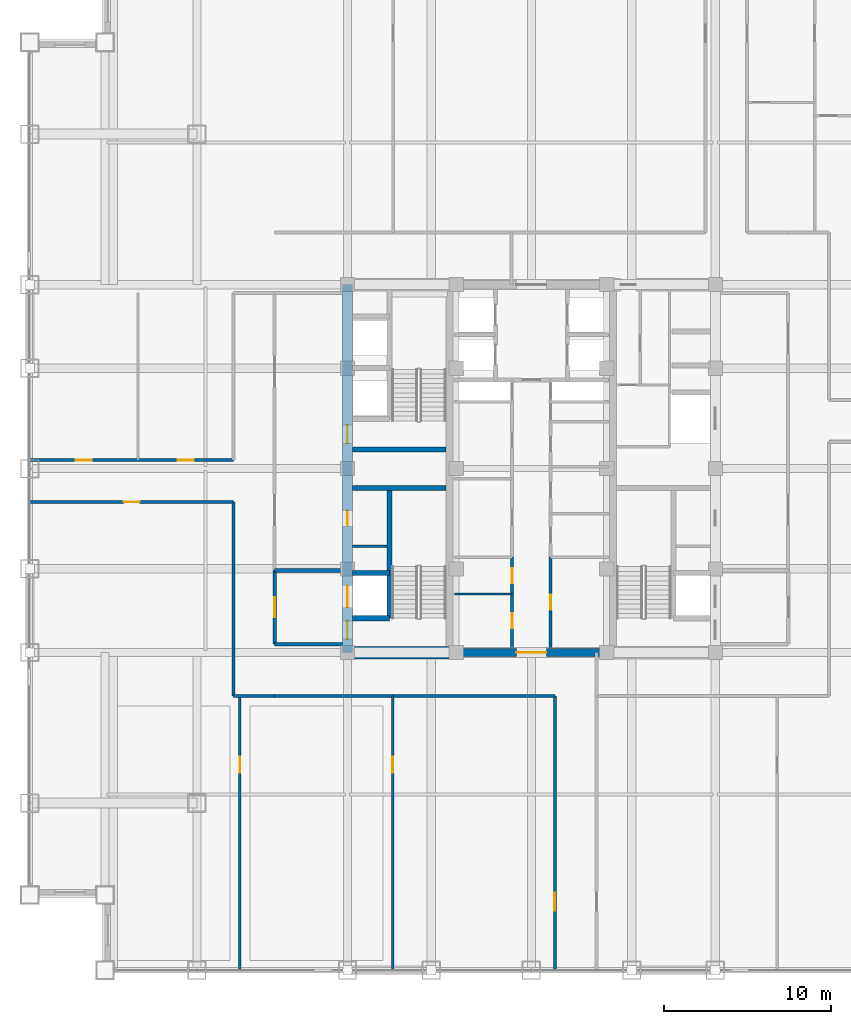
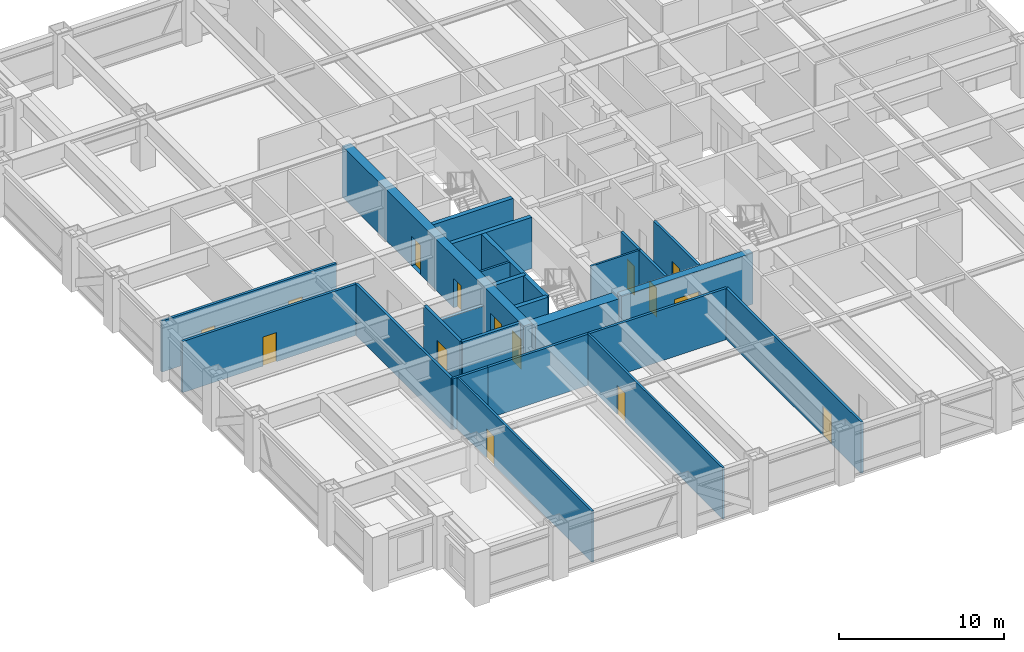
# One storey, part 20 of 26: 23 walls, 15 doors, 15 openings.
"""IFC4 building model written with IfcOpenShell, lengths in metres."""

from ifc_helpers import new_model, si_unit, direction, frame, frame_2d, origin, place, context, subcontext, project, spatial, rectangle, extrude, source, transform, mapped, material, layer, layer_set, type_object, element, fill, save


model = new_model("IFC4")

# Units and contexts
model_context = context("Model", 3, precision=1e-05, world=origin(), true_north=direction((0.0, 1.0)))
body_context = subcontext(model_context, "Body", "Model", "MODEL_VIEW")
ifc_project = project(units=[si_unit("LENGTHUNIT", "METRE"), si_unit("AREAUNIT", "SQUARE_METRE"), si_unit("VOLUMEUNIT", "CUBIC_METRE"), si_unit("PLANEANGLEUNIT", "RADIAN"), si_unit("MASSUNIT", "GRAM", prefix="KILO")], contexts=[model_context])

# Site, building, storey
site_placement = place(None, origin())
site = spatial("IfcSite", under=ifc_project, at=site_placement, CompositionType="ELEMENT")
building_placement = place(site_placement, origin())
building = spatial("IfcBuilding", under=site, at=building_placement, Name="Khorayat Bourse Tower", CompositionType="ELEMENT")
storey_placement = place(building_placement, frame((0.0, 0.0, 207.10009765625)))
storey = spatial("IfcBuildingStorey", under=building, at=storey_placement, Name="L48", CompositionType="ELEMENT", Elevation=207.10009765625)

# Wall, openings, doors
ifc_material_1 = material(Name="Concrete C60/75", Category="concrete")
ifc_layer_1 = layer(ifc_material_1, 0.60009765625)
ifc_layer_set_1 = layer_set([ifc_layer_1], Name="Concrete C60/75")
wall_type_1 = type_object("IfcWallType", Name="WAL-CORE-600", PredefinedType="SHEAR", material=ifc_layer_set_1)
shared_shape_1 = source(origin(), body_context, "Body", "SweptSolid", [
    extrude(rectangle(XDim=22.0, YDim=0.60009765625, at=frame_2d((11.0, 0.0))), origin(), (0.0, 0.0, 1.0), 3.77978515625),
])
wall_1_placement = place(storey_placement, frame((-11.0, -11.0, 0.0), z_axis=(0.0, 0.0, 1.0), x_axis=(0.0, 1.0, 0.0)))
wall_1 = element("IfcWall", 1, at=wall_1_placement, inside=storey, type_object=wall_type_1, Name="L48 Core Shear Wall CORE-W", PredefinedType="SHEAR", context=body_context, shape_type="MappedRepresentation", body=[
    mapped(shared_shape_1, transform((0.0, 0.0, 0.0), scale=1.0)),
])
shared_shape_2 = source(origin(), body_context, "Body", "SweptSolid", [
    extrude(rectangle(XDim=1.10009765625, YDim=2.199951171875, at=frame_2d((0.550048828125, 1.10009765625))), frame((0.0, 0.31005859375, 0.0), z_axis=(0.0, -1.0, 0.0), x_axis=(1.0, 0.0, 0.0)), (0.0, 0.0, 1.0), 0.6201171875),
])
opening_1_placement = place(wall_1_placement, frame((0.800048828125, 0.0, 0.0)))
opening_1 = element("IfcOpeningElement", 2, at=opening_1_placement, cuts=wall_1, Name="Opening DI-01", PredefinedType="OPENING", context=body_context, shape_type="MappedRepresentation", body=[
    mapped(shared_shape_2, transform((0.0, 0.0, 0.0), scale=1.0)),
])
opening_2_placement = place(wall_1_placement, frame((12.5, 0.0, 0.0)))
opening_2 = element("IfcOpeningElement", 3, at=opening_2_placement, cuts=wall_1, Name="Opening DI-01", PredefinedType="OPENING", context=body_context, shape_type="MappedRepresentation", body=[
    mapped(shared_shape_2, transform((0.0, 0.0, 0.0), scale=1.0)),
])
shared_shape_3 = source(origin(), body_context, "Body", "SweptSolid", [
    extrude(rectangle(XDim=0.89990234375, YDim=2.14990234375, at=frame_2d((0.449951171875, 1.074951171875))), frame((0.0, 0.31005859375, 0.0), z_axis=(0.0, -1.0, 0.0), x_axis=(1.0, 0.0, 0.0)), (0.0, 0.0, 1.0), 0.6201171875),
])
opening_3_placement = place(wall_1_placement, frame((7.574951171875, 0.0, 0.0)))
opening_3 = element("IfcOpeningElement", 4, at=opening_3_placement, cuts=wall_1, Name="Opening DI-06", PredefinedType="OPENING", context=body_context, shape_type="MappedRepresentation", body=[
    mapped(shared_shape_3, transform((0.0, 0.0, 0.0), scale=1.0)),
])
shared_shape_4 = source(origin(), body_context, "Body", "SweptSolid", [
    extrude(rectangle(XDim=1.300048828125, YDim=2.300048828125, at=frame_2d((0.64990234375, 1.14990234375))), frame((0.0, 0.31005859375, 0.0), z_axis=(0.0, -1.0, 0.0), x_axis=(1.0, 0.0, 0.0)), (0.0, 0.0, 1.0), 0.6201171875),
])
opening_4_placement = place(wall_1_placement, frame((2.699951171875, 0.0, 0.0)))
opening_4 = element("IfcOpeningElement", 5, at=opening_4_placement, cuts=wall_1, Name="Opening LD-02", PredefinedType="OPENING", context=body_context, shape_type="MappedRepresentation", body=[
    mapped(shared_shape_4, transform((0.0, 0.0, 0.0), scale=1.0)),
])
ifc_material_2 = material(Name="Fire-rated steel acoustic leaf", Category="steel")
door_type_1 = type_object("IfcDoorType", Name="DR-INT-STAIR-1100", OperationType="NOTDEFINED", PredefinedType="DOOR", material=ifc_material_2)
shared_shape_5 = source(origin(), body_context, "Body", "SweptSolid", [
    extrude(rectangle(XDim=1.10009765625, YDim=2.199951171875, at=frame_2d((0.550048828125, 1.10009765625))), frame((0.0, 0.02490234375, 0.0), z_axis=(0.0, -1.0, 0.0), x_axis=(1.0, 0.0, 0.0)), (0.0, 0.0, 1.0), 0.050048828125),
])
door_1_placement = place(opening_1_placement, origin())
door_1 = element("IfcDoor", 6, at=door_1_placement, inside=storey, type_object=door_type_1, Name="L48 Exit Stair 1 Door", OperationType="SINGLE_SWING_RIGHT", OverallHeight=2.199951171875, OverallWidth=1.10009765625, PredefinedType="DOOR", context=body_context, shape_type="MappedRepresentation", body=[
    mapped(shared_shape_5, transform((0.0, 0.0, 0.0), scale=1.0)),
])
fill(opening_1, door_1)
door_2_placement = place(opening_2_placement, origin())
door_2 = element("IfcDoor", 7, at=door_2_placement, inside=storey, type_object=door_type_1, Name="L48 Exit Stair 2 Door", OperationType="SINGLE_SWING_RIGHT", OverallHeight=2.199951171875, OverallWidth=1.10009765625, PredefinedType="DOOR", context=body_context, shape_type="MappedRepresentation", body=[
    mapped(shared_shape_5, transform((0.0, 0.0, 0.0), scale=1.0)),
])
fill(opening_2, door_2)
ifc_material_3 = material(Name="Moisture-resistant laminate washroom door")
door_type_2 = type_object("IfcDoorType", Name="DR-INT-WC-900", OperationType="NOTDEFINED", PredefinedType="DOOR", material=ifc_material_3)
shared_shape_6 = source(origin(), body_context, "Body", "SweptSolid", [
    extrude(rectangle(XDim=0.89990234375, YDim=2.14990234375, at=frame_2d((0.449951171875, 1.074951171875))), frame((0.0, 0.02490234375, 0.0), z_axis=(0.0, -1.0, 0.0), x_axis=(1.0, 0.0, 0.0)), (0.0, 0.0, 1.0), 0.050048828125),
])
door_3_placement = place(opening_3_placement, origin())
door_3 = element("IfcDoor", 8, at=door_3_placement, inside=storey, type_object=door_type_2, Name="L48 UPS Switch Plant Room Door", OperationType="SINGLE_SWING_RIGHT", OverallHeight=2.14990234375, OverallWidth=0.89990234375, PredefinedType="DOOR", context=body_context, shape_type="MappedRepresentation", body=[
    mapped(shared_shape_6, transform((0.0, 0.0, 0.0), scale=1.0)),
])
fill(opening_3, door_3)
ifc_material_4 = material(Name="Fire-rated stainless-steel sliding landing door", Category="steel")
door_type_3 = type_object("IfcDoorType", Name="DR-LIFT-FF-1300", OperationType="NOTDEFINED", PredefinedType="DOOR", material=ifc_material_4)
shared_shape_7 = source(origin(), body_context, "Body", "SweptSolid", [
    extrude(rectangle(XDim=1.300048828125, YDim=2.300048828125, at=frame_2d((0.64990234375, 1.14990234375))), frame((0.0, 0.02490234375, 0.0), z_axis=(0.0, -1.0, 0.0), x_axis=(1.0, 0.0, 0.0)), (0.0, 0.0, 1.0), 0.050048828125),
])
door_4_placement = place(opening_4_placement, origin())
door_4 = element("IfcDoor", 9, at=door_4_placement, inside=storey, type_object=door_type_3, Name="L48 Lift FFL-01 Sliding Landing Door", OperationType="SLIDING_TO_LEFT", OverallHeight=2.300048828125, OverallWidth=1.300048828125, PredefinedType="DOOR", context=body_context, shape_type="MappedRepresentation", body=[
    mapped(shared_shape_7, transform((0.0, 0.0, 0.0), scale=1.0)),
])
fill(opening_4, door_4)

# Walls
ifc_material_5 = material(Name="Concrete C72/90", Category="concrete")
ifc_layer_2 = layer(ifc_material_5, 0.75)
ifc_layer_set_2 = layer_set([ifc_layer_2], Name="Concrete C72/90")
wall_type_2 = type_object("IfcWallType", Name="WAL-CORE-750", PredefinedType="SHEAR", material=ifc_layer_set_2)
shared_shape_8 = source(origin(), body_context, "Body", "SweptSolid", [
    extrude(rectangle(XDim=5.849853515625, YDim=0.75, at=frame_2d((2.9248046875, 0.0))), origin(), (0.0, 0.0, 1.0), 3.77978515625),
])
wall_2_placement = place(storey_placement, frame((-10.699951171875, -11.0, 0.0), z_axis=(0.0, 0.0, 1.0), x_axis=(1.0, 0.0, 0.0)))
element("IfcWall", 10, at=wall_2_placement, inside=storey, type_object=wall_type_2, Name="L48 Core Shear Wall PIER-WS", PredefinedType="SHEAR", context=body_context, shape_type="MappedRepresentation", body=[
    mapped(shared_shape_8, transform((0.0, 0.0, 0.0), scale=1.0)),
])
ifc_material_6 = material(Name="Concrete C50/60", Category="concrete")
ifc_layer_3 = layer(ifc_material_6, 0.300048828125)
ifc_layer_set_3 = layer_set([ifc_layer_3], Name="Concrete C50/60")
wall_type_3 = type_object("IfcWallType", Name="WAL-SHAFT-300", PredefinedType="SHEAR", material=ifc_layer_set_3)
shared_shape_9 = source(origin(), body_context, "Body", "SweptSolid", [
    extrude(rectangle(XDim=5.599853515625, YDim=0.300048828125, at=frame_2d((2.7998046875, 0.0))), origin(), (0.0, 0.0, 1.0), 3.77978515625),
])
for number, where, z_axis, x_axis, name in (
    (11, (-10.699951171875, -1.14990234375, 0.0), (0.0, 0.0, 1.0), (1.0, 0.0, 0.0), "L48 Core Shear Wall ST1-DIV"),
    (12, (-10.699951171875, 1.14990234375, 0.0), (0.0, 0.0, 1.0), (1.0, 0.0, 0.0), "L48 Core Shear Wall ST2-DIV"),
):
    element("IfcWall", number, at=place(storey_placement, frame(where, z_axis=z_axis, x_axis=x_axis)), inside=storey, type_object=wall_type_3, Name=name, PredefinedType="SHEAR", context=body_context, shape_type="MappedRepresentation", body=[
        mapped(shared_shape_9, transform((0.0, 0.0, 0.0), scale=1.0)),
    ])

# Wall, opening, door
ifc_material_7 = material(Name="Concrete C52/65", Category="concrete")
ifc_layer_4 = layer(ifc_material_7, 0.5)
ifc_layer_set_4 = layer_set([ifc_layer_4], Name="Concrete C52/65")
wall_type_4 = type_object("IfcWallType", Name="WAL-CORE-500", PredefinedType="SHEAR", material=ifc_layer_set_4)
shared_shape_10 = source(origin(), body_context, "Body", "SweptSolid", [
    extrude(rectangle(XDim=9.2001953125, YDim=0.5, at=frame_2d((4.60009765625, 0.0))), origin(), (0.0, 0.0, 1.0), 3.77978515625),
])
wall_3_placement = place(storey_placement, frame((-4.60009765625, -11.0, 0.0), z_axis=(0.0, 0.0, 1.0), x_axis=(1.0, 0.0, 0.0)))
wall_3 = element("IfcWall", 13, at=wall_3_placement, inside=storey, type_object=wall_type_4, Name="L48 Core Shear Wall CORE-S", PredefinedType="SHEAR", context=body_context, shape_type="MappedRepresentation", body=[
    mapped(shared_shape_10, transform((0.0, 0.0, 0.0), scale=1.0)),
])
shared_shape_11 = source(origin(), body_context, "Body", "SweptSolid", [
    extrude(rectangle(XDim=1.800048828125, YDim=2.25, at=frame_2d((0.89990234375, 1.125))), frame((0.0, 0.260009765625, 0.0), z_axis=(0.0, -1.0, 0.0), x_axis=(1.0, 0.0, 0.0)), (0.0, 0.0, 1.0), 0.52001953125),
])
opening_5_placement = place(wall_3_placement, frame((3.699951171875, 0.0, 0.0)))
opening_5 = element("IfcOpeningElement", 14, at=opening_5_placement, cuts=wall_3, Name="Opening DI-03", PredefinedType="OPENING", context=body_context, shape_type="MappedRepresentation", body=[
    mapped(shared_shape_11, transform((0.0, 0.0, 0.0), scale=1.0)),
])
ifc_material_8 = material(Name="Fire-rated hardwood vision-panel double leaf", Category="wood")
door_type_4 = type_object("IfcDoorType", Name="DR-INT-CORR-1800", OperationType="NOTDEFINED", PredefinedType="DOOR", material=ifc_material_8)
shared_shape_12 = source(origin(), body_context, "Body", "SweptSolid", [
    extrude(rectangle(XDim=1.800048828125, YDim=2.25, at=frame_2d((0.89990234375, 1.125))), frame((0.0, 0.02490234375, 0.0), z_axis=(0.0, -1.0, 0.0), x_axis=(1.0, 0.0, 0.0)), (0.0, 0.0, 1.0), 0.050048828125),
])
door_5_placement = place(opening_5_placement, origin())
door_5 = element("IfcDoor", 15, at=door_5_placement, inside=storey, type_object=door_type_4, Name="L48 Central Core South Passage Door", OperationType="SINGLE_SWING_LEFT", OverallHeight=2.25, OverallWidth=1.800048828125, PredefinedType="DOOR", context=body_context, shape_type="MappedRepresentation", body=[
    mapped(shared_shape_12, transform((0.0, 0.0, 0.0), scale=1.0)),
])
fill(opening_5, door_5)

# Walls
shared_shape_13 = source(origin(), body_context, "Body", "SweptSolid", [
    extrude(rectangle(XDim=7.800048828125, YDim=0.300048828125, at=frame_2d((3.89990234375, 0.0))), origin(), (0.0, 0.0, 1.0), 3.77978515625),
])
wall_4_placement = place(storey_placement, frame((-8.5, -8.949951171875, 0.0), z_axis=(0.0, 0.0, 1.0), x_axis=(0.0, 1.0, 0.0)))
element("IfcWall", 16, at=wall_4_placement, inside=storey, type_object=wall_type_3, Name="L48 Partition WAL-L48-WPIER-SP", PredefinedType="SHEAR", context=body_context, shape_type="MappedRepresentation", body=[
    mapped(shared_shape_13, transform((0.0, 0.0, 0.0), scale=1.0)),
])
shared_shape_14 = source(origin(), body_context, "Body", "SweptSolid", [
    extrude(rectangle(XDim=2.199951171875, YDim=0.300048828125, at=frame_2d((1.10009765625, 0.0))), origin(), (0.0, 0.0, 1.0), 3.77978515625),
])
for number, where, z_axis, x_axis, name in (
    (17, (-10.699951171875, -8.949951171875, 0.0), (0.0, 0.0, 1.0), (1.0, 0.0, 0.0), "L48 Partition WAL-L48-WPIER-FF1S"),
    (18, (-10.699951171875, -6.25, 0.0), (0.0, 0.0, 1.0), (1.0, 0.0, 0.0), "L48 Partition WAL-L48-WPIER-FF1N"),
):
    element("IfcWall", number, at=place(storey_placement, frame(where, z_axis=z_axis, x_axis=x_axis)), inside=storey, type_object=wall_type_3, Name=name, PredefinedType="SHEAR", context=body_context, shape_type="MappedRepresentation", body=[
        mapped(shared_shape_14, transform((0.0, 0.0, 0.0), scale=1.0)),
    ])
ifc_material_9 = material(Name="Gypsum plasterboard twin-frame partition")
ifc_layer_5 = layer(ifc_material_9, 0.14990234375)
ifc_layer_set_5 = layer_set([ifc_layer_5], Name="Gypsum plasterboard twin-frame partition")
wall_type_5 = type_object("IfcWallType", Name="WAL-PART-SUITE-150", PredefinedType="PARTITIONING", material=ifc_layer_set_5)
shared_shape_15 = source(origin(), body_context, "Body", "SweptSolid", [
    extrude(rectangle(XDim=2.050048828125, YDim=0.14990234375, at=frame_2d((1.02490234375, 0.0))), origin(), (0.0, 0.0, 1.0), 3.77978515625),
])
wall_5_placement = place(storey_placement, frame((-10.699951171875, -4.64990234375, 0.0), z_axis=(0.0, 0.0, 1.0), x_axis=(1.0, 0.0, 0.0)))
element("IfcWall", 19, at=wall_5_placement, inside=storey, type_object=wall_type_5, Name="L48 Partition WAL-L48-WSRV-S0", PredefinedType="PARTITIONING", context=body_context, shape_type="MappedRepresentation", body=[
    mapped(shared_shape_15, transform((0.0, 0.0, 0.0), scale=1.0)),
])
ifc_material_10 = material(Name="Aerated concrete blockwork", Category="masonry")
ifc_layer_6 = layer(ifc_material_10, 0.219970703125)
ifc_layer_set_6 = layer_set([ifc_layer_6], Name="Aerated concrete blockwork")
wall_type_6 = type_object("IfcWallType", Name="WAL-PART-FF-220", PredefinedType="PARTITIONING", material=ifc_layer_set_6)
shared_shape_16 = source(origin(), body_context, "Body", "SweptSolid", [
    extrude(rectangle(XDim=4.050048828125, YDim=0.219970703125, at=frame_2d((2.02490234375, 0.0))), origin(), (0.0, 0.0, 1.0), 3.77978515625),
])
wall_6_placement = place(storey_placement, frame((-15.35009765625, -10.5, 0.0), z_axis=(0.0, 0.0, 1.0), x_axis=(1.0, 0.0, 0.0)))
element("IfcWall", 20, at=wall_6_placement, inside=storey, type_object=wall_type_6, Name="L48 Partition WAL-L48-FFLW-S", PredefinedType="PARTITIONING", context=body_context, shape_type="MappedRepresentation", body=[
    mapped(shared_shape_16, transform((0.0, 0.0, 0.0), scale=1.0)),
])

# Wall, opening, door
shared_shape_17 = source(origin(), body_context, "Body", "SweptSolid", [
    extrude(rectangle(XDim=4.39990234375, YDim=0.219970703125, at=frame_2d((2.199951171875, 0.0))), origin(), (0.0, 0.0, 1.0), 3.77978515625),
])
wall_7_placement = place(storey_placement, frame((-15.35009765625, -10.5, 0.0), z_axis=(0.0, 0.0, 1.0), x_axis=(0.0, 1.0, 0.0)))
wall_7 = element("IfcWall", 21, at=wall_7_placement, inside=storey, type_object=wall_type_6, Name="L48 Partition WAL-L48-FFLW-W", PredefinedType="PARTITIONING", context=body_context, shape_type="MappedRepresentation", body=[
    mapped(shared_shape_17, transform((0.0, 0.0, 0.0), scale=1.0)),
])
shared_shape_18 = source(origin(), body_context, "Body", "SweptSolid", [
    extrude(rectangle(XDim=1.199951171875, YDim=2.199951171875, at=frame_2d((0.60009765625, 1.10009765625))), frame((0.0, 0.119873046875, 0.0), z_axis=(0.0, -1.0, 0.0), x_axis=(1.0, 0.0, 0.0)), (0.0, 0.0, 1.0), 0.239990234375),
])
opening_6_placement = place(wall_7_placement, frame((1.60009765625, 0.0, 0.0)))
opening_6 = element("IfcOpeningElement", 22, at=opening_6_placement, cuts=wall_7, Name="Opening DI-02", PredefinedType="OPENING", context=body_context, shape_type="MappedRepresentation", body=[
    mapped(shared_shape_18, transform((0.0, 0.0, 0.0), scale=1.0)),
])
ifc_material_11 = material(Name="Fire-rated steel double-seal leaf", Category="steel")
door_type_5 = type_object("IfcDoorType", Name="DR-INT-FFLOBBY-1200", OperationType="NOTDEFINED", PredefinedType="DOOR", material=ifc_material_11)
shared_shape_19 = source(origin(), body_context, "Body", "SweptSolid", [
    extrude(rectangle(XDim=1.199951171875, YDim=2.199951171875, at=frame_2d((0.60009765625, 1.10009765625))), frame((0.0, 0.02490234375, 0.0), z_axis=(0.0, -1.0, 0.0), x_axis=(1.0, 0.0, 0.0)), (0.0, 0.0, 1.0), 0.050048828125),
])
door_6_placement = place(opening_6_placement, origin())
door_6 = element("IfcDoor", 23, at=door_6_placement, inside=storey, type_object=door_type_5, Name="L48 West Firefighting Lobby Door", OperationType="SINGLE_SWING_LEFT", OverallHeight=2.199951171875, OverallWidth=1.199951171875, PredefinedType="DOOR", context=body_context, shape_type="MappedRepresentation", body=[
    mapped(shared_shape_19, transform((0.0, 0.0, 0.0), scale=1.0)),
])
fill(opening_6, door_6)

# Wall
ifc_material_12 = material(Name="Moisture-resistant masonry partition", Category="masonry")
ifc_layer_7 = layer(ifc_material_12, 0.139892578125)
ifc_layer_set_7 = layer_set([ifc_layer_7], Name="Moisture-resistant masonry partition")
wall_type_7 = type_object("IfcWallType", Name="WAL-PART-WET-140", PredefinedType="PARTITIONING", material=ifc_layer_set_7)
shared_shape_20 = source(origin(), body_context, "Body", "SweptSolid", [
    extrude(rectangle(XDim=3.4501953125, YDim=0.139892578125, at=frame_2d((1.72509765625, 0.0))), origin(), (0.0, 0.0, 1.0), 3.77978515625),
])
wall_8_placement = place(storey_placement, frame((-4.60009765625, -7.5, 0.0), z_axis=(0.0, 0.0, 1.0), x_axis=(1.0, 0.0, 0.0)))
element("IfcWall", 24, at=wall_8_placement, inside=storey, type_object=wall_type_7, Name="L48 Partition WAL-L48-FB1W-D1", PredefinedType="PARTITIONING", context=body_context, shape_type="MappedRepresentation", body=[
    mapped(shared_shape_20, transform((0.0, 0.0, 0.0), scale=1.0)),
])

# Wall, openings, doors
ifc_material_13 = material(Name="Gypsum plasterboard acoustic stud wall")
ifc_layer_8 = layer(ifc_material_13, 0.179931640625)
ifc_layer_set_8 = layer_set([ifc_layer_8], Name="Gypsum plasterboard acoustic stud wall")
wall_type_8 = type_object("IfcWallType", Name="WAL-PART-CORR-180", PredefinedType="PARTITIONING", material=ifc_layer_set_8)
shared_shape_21 = source(origin(), body_context, "Body", "SweptSolid", [
    extrude(rectangle(XDim=5.39990234375, YDim=0.179931640625, at=frame_2d((2.699951171875, 0.0))), origin(), (0.0, 0.0, 1.0), 3.77978515625),
])
wall_9_placement = place(storey_placement, frame((-1.14990234375, -10.699951171875, 0.0), z_axis=(0.0, 0.0, 1.0), x_axis=(0.0, 1.0, 0.0)))
wall_9 = element("IfcWall", 25, at=wall_9_placement, inside=storey, type_object=wall_type_8, Name="L48 Partition WAL-L48-FB1W-L", PredefinedType="PARTITIONING", context=body_context, shape_type="MappedRepresentation", body=[
    mapped(shared_shape_21, transform((0.0, 0.0, 0.0), scale=1.0)),
])
shared_shape_22 = source(origin(), body_context, "Body", "SweptSolid", [
    extrude(rectangle(XDim=0.89990234375, YDim=2.14990234375, at=frame_2d((0.449951171875, 1.074951171875))), frame((0.0, 0.099853515625, 0.0), z_axis=(0.0, -1.0, 0.0), x_axis=(1.0, 0.0, 0.0)), (0.0, 0.0, 1.0), 0.199951171875),
])
opening_7_placement = place(wall_9_placement, frame((1.14990234375, 0.0, 0.0)))
opening_7 = element("IfcOpeningElement", 26, at=opening_7_placement, cuts=wall_9, Name="Opening DI-06", PredefinedType="OPENING", context=body_context, shape_type="MappedRepresentation", body=[
    mapped(shared_shape_22, transform((0.0, 0.0, 0.0), scale=1.0)),
])
opening_8_placement = place(wall_9_placement, frame((3.85009765625, 0.0, 0.0)))
opening_8 = element("IfcOpeningElement", 27, at=opening_8_placement, cuts=wall_9, Name="Opening DI-06", PredefinedType="OPENING", context=body_context, shape_type="MappedRepresentation", body=[
    mapped(shared_shape_22, transform((0.0, 0.0, 0.0), scale=1.0)),
])
door_7_placement = place(opening_7_placement, origin())
door_7 = element("IfcDoor", 28, at=door_7_placement, inside=storey, type_object=door_type_2, Name="L48 Records Vault Store Door", OperationType="SINGLE_SWING_RIGHT", OverallHeight=2.14990234375, OverallWidth=0.89990234375, PredefinedType="DOOR", context=body_context, shape_type="MappedRepresentation", body=[
    mapped(shared_shape_6, transform((0.0, 0.0, 0.0), scale=1.0)),
])
fill(opening_7, door_7)
door_8_placement = place(opening_8_placement, origin())
door_8 = element("IfcDoor", 29, at=door_8_placement, inside=storey, type_object=door_type_2, Name="L48 Sprinkler Valve Plant Room Door", OperationType="SINGLE_SWING_LEFT", OverallHeight=2.14990234375, OverallWidth=0.89990234375, PredefinedType="DOOR", context=body_context, shape_type="MappedRepresentation", body=[
    mapped(shared_shape_6, transform((0.0, 0.0, 0.0), scale=1.0)),
])
fill(opening_8, door_8)

# Wall, opening, door
wall_10_placement = place(storey_placement, frame((1.14990234375, -10.699951171875, 0.0), z_axis=(0.0, 0.0, 1.0), x_axis=(0.0, 1.0, 0.0)))
wall_10 = element("IfcWall", 30, at=wall_10_placement, inside=storey, type_object=wall_type_8, Name="L48 Partition WAL-L48-FB1E-L", PredefinedType="PARTITIONING", context=body_context, shape_type="MappedRepresentation", body=[
    mapped(shared_shape_21, transform((0.0, 0.0, 0.0), scale=1.0)),
])
opening_9_placement = place(wall_10_placement, frame((2.25, 0.0, 0.0)))
opening_9 = element("IfcOpeningElement", 31, at=opening_9_placement, cuts=wall_10, Name="Opening DI-06", PredefinedType="OPENING", context=body_context, shape_type="MappedRepresentation", body=[
    mapped(shared_shape_22, transform((0.0, 0.0, 0.0), scale=1.0)),
])
door_9_placement = place(opening_9_placement, origin())
door_9 = element("IfcDoor", 32, at=door_9_placement, inside=storey, type_object=door_type_2, Name="L48 Telemetry Server Plant Room Door", OperationType="SINGLE_SWING_RIGHT", OverallHeight=2.14990234375, OverallWidth=0.89990234375, PredefinedType="DOOR", context=body_context, shape_type="MappedRepresentation", body=[
    mapped(shared_shape_6, transform((0.0, 0.0, 0.0), scale=1.0)),
])
fill(opening_9, door_9)

# Walls
shared_shape_23 = source(origin(), body_context, "Body", "SweptSolid", [
    extrude(rectangle(XDim=2.449951171875, YDim=0.179931640625, at=frame_2d((1.22509765625, 0.0))), origin(), (0.0, 0.0, 1.0), 3.77978515625),
])
wall_11_placement = place(storey_placement, frame((-17.800048828125, -13.60009765625, 0.0), z_axis=(0.0, 0.0, 1.0), x_axis=(1.0, 0.0, 0.0)))
element("IfcWall", 33, at=wall_11_placement, inside=storey, type_object=wall_type_8, Name="L48 Partition WAL-L48-C2-WS", PredefinedType="PARTITIONING", context=body_context, shape_type="MappedRepresentation", body=[
    mapped(shared_shape_23, transform((0.0, 0.0, 0.0), scale=1.0)),
])
shared_shape_24 = source(origin(), body_context, "Body", "SweptSolid", [
    extrude(rectangle(XDim=16.75, YDim=0.179931640625, at=frame_2d((8.375, 0.0))), origin(), (0.0, 0.0, 1.0), 3.77978515625),
])
wall_12_placement = place(storey_placement, frame((-15.35009765625, -13.60009765625, 0.0), z_axis=(0.0, 0.0, 1.0), x_axis=(1.0, 0.0, 0.0)))
element("IfcWall", 34, at=wall_12_placement, inside=storey, type_object=wall_type_8, Name="L48 Partition WAL-L48-QSW-HC", PredefinedType="PARTITIONING", context=body_context, shape_type="MappedRepresentation", body=[
    mapped(shared_shape_24, transform((0.0, 0.0, 0.0), scale=1.0)),
])

# Wall, opening, door
shared_shape_25 = source(origin(), body_context, "Body", "SweptSolid", [
    extrude(rectangle(XDim=12.199951171875, YDim=0.179931640625, at=frame_2d((6.10009765625, 0.0))), origin(), (0.0, 0.0, 1.0), 3.77978515625),
])
wall_13_placement = place(storey_placement, frame((-30.0, -2.0, 0.0), z_axis=(0.0, 0.0, 1.0), x_axis=(1.0, 0.0, 0.0)))
wall_13 = element("IfcWall", 35, at=wall_13_placement, inside=storey, type_object=wall_type_8, Name="L48 Partition WAL-L48-WS-SPK", PredefinedType="PARTITIONING", context=body_context, shape_type="MappedRepresentation", body=[
    mapped(shared_shape_25, transform((0.0, 0.0, 0.0), scale=1.0)),
])
shared_shape_26 = source(origin(), body_context, "Body", "SweptSolid", [
    extrude(rectangle(XDim=0.949951171875, YDim=2.14990234375, at=frame_2d((0.47509765625, 1.074951171875))), frame((0.0, 0.099853515625, 0.0), z_axis=(0.0, -1.0, 0.0), x_axis=(1.0, 0.0, 0.0)), (0.0, 0.0, 1.0), 0.199951171875),
])
opening_10_placement = place(wall_13_placement, frame((5.625, 0.0, 0.0)))
opening_10 = element("IfcOpeningElement", 36, at=opening_10_placement, cuts=wall_13, Name="Opening DI-05", PredefinedType="OPENING", context=body_context, shape_type="MappedRepresentation", body=[
    mapped(shared_shape_26, transform((0.0, 0.0, 0.0), scale=1.0)),
])
ifc_material_14 = material(Name="Acoustic oak veneer office door")
door_type_6 = type_object("IfcDoorType", Name="DR-INT-OFFICE-950", OperationType="NOTDEFINED", PredefinedType="DOOR", material=ifc_material_14)
shared_shape_27 = source(origin(), body_context, "Body", "SweptSolid", [
    extrude(rectangle(XDim=0.949951171875, YDim=2.14990234375, at=frame_2d((0.47509765625, 1.074951171875))), frame((0.0, 0.02490234375, 0.0), z_axis=(0.0, -1.0, 0.0), x_axis=(1.0, 0.0, 0.0)), (0.0, 0.0, 1.0), 0.050048828125),
])
door_10_placement = place(opening_10_placement, origin())
door_10 = element("IfcDoor", 37, at=door_10_placement, inside=storey, type_object=door_type_6, Name="L48 Members Dining Room WS Door", OperationType="SINGLE_SWING_LEFT", OverallHeight=2.14990234375, OverallWidth=0.949951171875, PredefinedType="DOOR", context=body_context, shape_type="MappedRepresentation", body=[
    mapped(shared_shape_27, transform((0.0, 0.0, 0.0), scale=1.0)),
])
fill(opening_10, door_10)

# Wall, openings, doors
wall_14_placement = place(storey_placement, frame((-30.0, 0.5, 0.0), z_axis=(0.0, 0.0, 1.0), x_axis=(1.0, 0.0, 0.0)))
wall_14 = element("IfcWall", 38, at=wall_14_placement, inside=storey, type_object=wall_type_8, Name="L48 Partition WAL-L48-WN-SPK", PredefinedType="PARTITIONING", context=body_context, shape_type="MappedRepresentation", body=[
    mapped(shared_shape_25, transform((0.0, 0.0, 0.0), scale=1.0)),
])
opening_11_placement = place(wall_14_placement, frame((2.758056640625, 0.0, 0.0)))
opening_11 = element("IfcOpeningElement", 39, at=opening_11_placement, cuts=wall_14, Name="Opening DI-05", PredefinedType="OPENING", context=body_context, shape_type="MappedRepresentation", body=[
    mapped(shared_shape_26, transform((0.0, 0.0, 0.0), scale=1.0)),
])
opening_12_placement = place(wall_14_placement, frame((8.85791015625, 0.0, 0.0)))
opening_12 = element("IfcOpeningElement", 40, at=opening_12_placement, cuts=wall_14, Name="Opening DI-05", PredefinedType="OPENING", context=body_context, shape_type="MappedRepresentation", body=[
    mapped(shared_shape_26, transform((0.0, 0.0, 0.0), scale=1.0)),
])
door_11_placement = place(opening_11_placement, origin())
door_11 = element("IfcDoor", 41, at=door_11_placement, inside=storey, type_object=door_type_6, Name="L48 Members Club Room WNA Door", OperationType="SINGLE_SWING_LEFT", OverallHeight=2.14990234375, OverallWidth=0.949951171875, PredefinedType="DOOR", context=body_context, shape_type="MappedRepresentation", body=[
    mapped(shared_shape_27, transform((0.0, 0.0, 0.0), scale=1.0)),
])
fill(opening_11, door_11)
door_12_placement = place(opening_12_placement, origin())
door_12 = element("IfcDoor", 42, at=door_12_placement, inside=storey, type_object=door_type_6, Name="L48 Issuer Listing Showroom WNB Door", OperationType="SINGLE_SWING_RIGHT", OverallHeight=2.14990234375, OverallWidth=0.949951171875, PredefinedType="DOOR", context=body_context, shape_type="MappedRepresentation", body=[
    mapped(shared_shape_27, transform((0.0, 0.0, 0.0), scale=1.0)),
])
fill(opening_12, door_12)

# Wall, opening, door
shared_shape_28 = source(origin(), body_context, "Body", "SweptSolid", [
    extrude(rectangle(XDim=16.39990234375, YDim=0.14990234375, at=frame_2d((8.199951171875, 0.0))), origin(), (0.0, 0.0, 1.0), 3.77978515625),
])
wall_15_placement = place(storey_placement, frame((-17.429931640625, -30.0, 0.0), z_axis=(0.0, 0.0, 1.0), x_axis=(0.0, 1.0, 0.0)))
wall_15 = element("IfcWall", 43, at=wall_15_placement, inside=storey, type_object=wall_type_5, Name="L48 Partition WAL-L48-QSWDV-1", PredefinedType="PARTITIONING", context=body_context, shape_type="MappedRepresentation", body=[
    mapped(shared_shape_28, transform((0.0, 0.0, 0.0), scale=1.0)),
])
shared_shape_29 = source(origin(), body_context, "Body", "SweptSolid", [
    extrude(rectangle(XDim=0.949951171875, YDim=2.14990234375, at=frame_2d((0.47509765625, 1.074951171875))), frame((0.0, 0.0849609375, 0.0), z_axis=(0.0, -1.0, 0.0), x_axis=(1.0, 0.0, 0.0)), (0.0, 0.0, 1.0), 0.169921875),
])
opening_13_placement = place(wall_15_placement, frame((11.824951171875, 0.0, 0.0)))
opening_13 = element("IfcOpeningElement", 44, at=opening_13_placement, cuts=wall_15, Name="Opening DI-05", PredefinedType="OPENING", context=body_context, shape_type="MappedRepresentation", body=[
    mapped(shared_shape_29, transform((0.0, 0.0, 0.0), scale=1.0)),
])
door_13_placement = place(opening_13_placement, origin())
door_13 = element("IfcDoor", 45, at=door_13_placement, inside=storey, type_object=door_type_6, Name="L48 South-West Suite Link 1", OperationType="SINGLE_SWING_RIGHT", OverallHeight=2.14990234375, OverallWidth=0.949951171875, PredefinedType="DOOR", context=body_context, shape_type="MappedRepresentation", body=[
    mapped(shared_shape_27, transform((0.0, 0.0, 0.0), scale=1.0)),
])
fill(opening_13, door_13)

wall_16_placement = place(storey_placement, frame((-8.283935546875, -30.0, 0.0), z_axis=(0.0, 0.0, 1.0), x_axis=(0.0, 1.0, 0.0)))
wall_16 = element("IfcWall", 46, at=wall_16_placement, inside=storey, type_object=wall_type_5, Name="L48 Partition WAL-L48-QSWDV-2", PredefinedType="PARTITIONING", context=body_context, shape_type="MappedRepresentation", body=[
    mapped(shared_shape_28, transform((0.0, 0.0, 0.0), scale=1.0)),
])
opening_14_placement = place(wall_16_placement, frame((11.824951171875, 0.0, 0.0)))
opening_14 = element("IfcOpeningElement", 47, at=opening_14_placement, cuts=wall_16, Name="Opening DI-05", PredefinedType="OPENING", context=body_context, shape_type="MappedRepresentation", body=[
    mapped(shared_shape_29, transform((0.0, 0.0, 0.0), scale=1.0)),
])
door_14_placement = place(opening_14_placement, origin())
door_14 = element("IfcDoor", 48, at=door_14_placement, inside=storey, type_object=door_type_6, Name="L48 South-West Suite Link 2", OperationType="SINGLE_SWING_LEFT", OverallHeight=2.14990234375, OverallWidth=0.949951171875, PredefinedType="DOOR", context=body_context, shape_type="MappedRepresentation", body=[
    mapped(shared_shape_27, transform((0.0, 0.0, 0.0), scale=1.0)),
])
fill(opening_14, door_14)

shared_shape_30 = source(origin(), body_context, "Body", "SweptSolid", [
    extrude(rectangle(XDim=16.39990234375, YDim=0.179931640625, at=frame_2d((8.199951171875, 0.0))), origin(), (0.0, 0.0, 1.0), 3.77978515625),
])
wall_17_placement = place(storey_placement, frame((1.39990234375, -30.0, 0.0), z_axis=(0.0, 0.0, 1.0), x_axis=(0.0, 1.0, 0.0)))
wall_17 = element("IfcWall", 49, at=wall_17_placement, inside=storey, type_object=wall_type_8, Name="L48 Partition WAL-L48-QSW-SPK", PredefinedType="PARTITIONING", context=body_context, shape_type="MappedRepresentation", body=[
    mapped(shared_shape_30, transform((0.0, 0.0, 0.0), scale=1.0)),
])
shared_shape_31 = source(origin(), body_context, "Body", "SweptSolid", [
    extrude(rectangle(XDim=1.050048828125, YDim=2.199951171875, at=frame_2d((0.52490234375, 1.10009765625))), frame((0.0, 0.099853515625, 0.0), z_axis=(0.0, -1.0, 0.0), x_axis=(1.0, 0.0, 0.0)), (0.0, 0.0, 1.0), 0.199951171875),
])
opening_15_placement = place(wall_17_placement, frame((3.574951171875, 0.0, 0.0)))
opening_15 = element("IfcOpeningElement", 50, at=opening_15_placement, cuts=wall_17, Name="Opening DI-04", PredefinedType="OPENING", context=body_context, shape_type="MappedRepresentation", body=[
    mapped(shared_shape_31, transform((0.0, 0.0, 0.0), scale=1.0)),
])
ifc_material_15 = material(Name="Fire-rated oak veneer suite entrance door")
door_type_7 = type_object("IfcDoorType", Name="DR-INT-SUITE-1050", OperationType="NOTDEFINED", PredefinedType="DOOR", material=ifc_material_15)
shared_shape_32 = source(origin(), body_context, "Body", "SweptSolid", [
    extrude(rectangle(XDim=1.050048828125, YDim=2.199951171875, at=frame_2d((0.52490234375, 1.10009765625))), frame((0.0, 0.02490234375, 0.0), z_axis=(0.0, -1.0, 0.0), x_axis=(1.0, 0.0, 0.0)), (0.0, 0.0, 1.0), 0.050048828125),
])
door_15_placement = place(opening_15_placement, origin())
door_15 = element("IfcDoor", 51, at=door_15_placement, inside=storey, type_object=door_type_7, Name="L48 South-West Radial Spoke Entry", OperationType="SINGLE_SWING_LEFT", OverallHeight=2.199951171875, OverallWidth=1.050048828125, PredefinedType="DOOR", context=body_context, shape_type="MappedRepresentation", body=[
    mapped(shared_shape_32, transform((0.0, 0.0, 0.0), scale=1.0)),
])
fill(opening_15, door_15)

# Walls
shared_shape_33 = source(origin(), body_context, "Body", "SweptSolid", [
    extrude(rectangle(XDim=11.60009765625, YDim=0.179931640625, at=frame_2d((5.800048828125, 0.0))), origin(), (0.0, 0.0, 1.0), 3.77978515625),
])
wall_18_placement = place(storey_placement, frame((-17.800048828125, -13.60009765625, 0.0), z_axis=(0.0, 0.0, 1.0), x_axis=(0.0, 1.0, 0.0)))
element("IfcWall", 52, at=wall_18_placement, inside=storey, type_object=wall_type_8, Name="L48 Partition WAL-L48-WS-IN", PredefinedType="PARTITIONING", context=body_context, shape_type="MappedRepresentation", body=[
    mapped(shared_shape_33, transform((0.0, 0.0, 0.0), scale=1.0)),
])
shared_shape_34 = source(origin(), body_context, "Body", "SweptSolid", [
    extrude(rectangle(XDim=4.050048828125, YDim=0.219970703125, at=frame_2d((2.02490234375, 0.0))), origin(), (0.0, 0.0, 1.0), 2.3798828125),
])
wall_19_placement = place(storey_placement, frame((-15.35009765625, -6.10009765625, 0.0), z_axis=(0.0, 0.0, 1.0), x_axis=(1.0, 0.0, 0.0)))
element("IfcWall", 53, at=wall_19_placement, inside=storey, type_object=wall_type_6, Name="L48 Partition WAL-L48-FFLW-N", PredefinedType="PARTITIONING", context=body_context, shape_type="MappedRepresentation", body=[
    mapped(shared_shape_34, transform((0.0, 0.0, 0.0), scale=1.0)),
])

save(model, "model.ifc")
